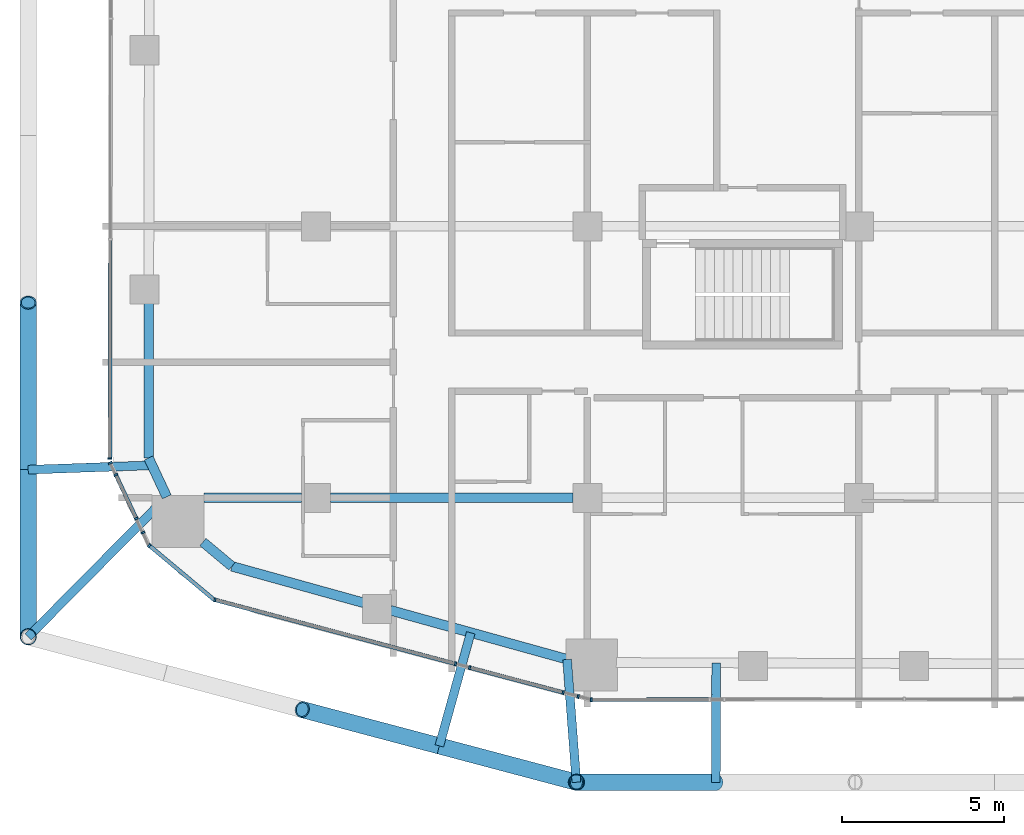
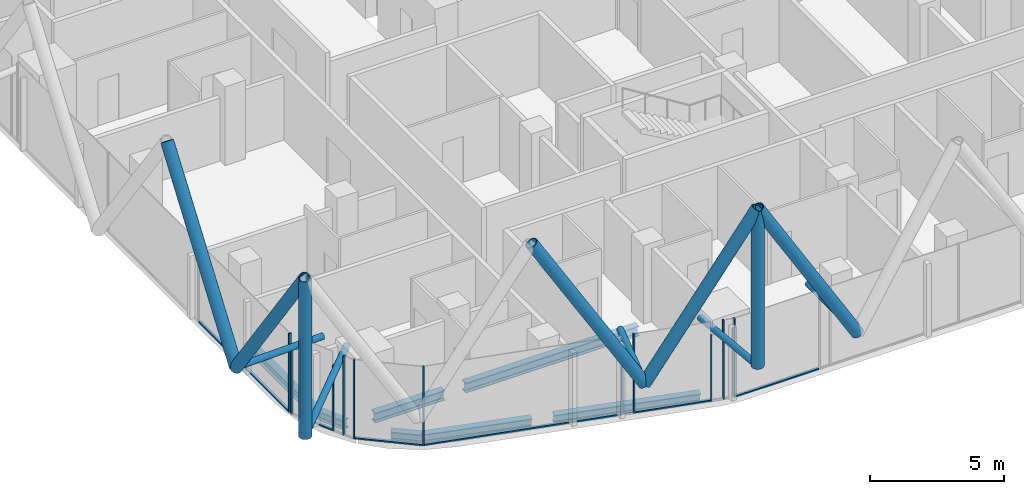
# One storey, part 2 of 36: 30 members, 7 beams, 12 elements without a shape of their own.
"""IFC4 building model written with IfcOpenShell, lengths in metres."""

from ifc_helpers import new_model, si_unit, direction, frame, origin, origin_2d, place, context, subcontext, project, spatial, rectangle, hollow_circle, i_section, extrude, material, layer, layer_set, material_profile, profile_set, type_object, element, aggregate, save


model = new_model("IFC4")

# Units and contexts
model_context = context("Model", 3, precision=1e-05, world=origin(), true_north=direction((0.0, 1.0)))
body_context = subcontext(model_context, "Body", "Model", "MODEL_VIEW")
ifc_project = project(units=[si_unit("LENGTHUNIT", "METRE"), si_unit("AREAUNIT", "SQUARE_METRE"), si_unit("VOLUMEUNIT", "CUBIC_METRE"), si_unit("PLANEANGLEUNIT", "RADIAN"), si_unit("MASSUNIT", "GRAM", prefix="KILO")], contexts=[model_context])

# Site, building, storey
site_placement = place(None, origin())
site = spatial("IfcSite", under=ifc_project, at=site_placement, CompositionType="ELEMENT")
building_placement = place(site_placement, origin())
building = spatial("IfcBuilding", under=site, at=building_placement, Name="Marenta Gate Hotel Tower", CompositionType="ELEMENT")
storey_placement = place(building_placement, frame((0.0, 0.0, 130.10009765625)))
storey = spatial("IfcBuildingStorey", under=building, at=storey_placement, Name="L29", CompositionType="ELEMENT", Elevation=130.10009765625)

# Members
ifc_material_1 = material(Name="Steel S355J2W", Category="steel")
ifc_material_profile_1 = material_profile(ifc_material_1, hollow_circle(Radius=0.25390625, WallThickness=0.02490234375, at=origin_2d()), Name="CHS 508x25")
ifc_profile_set_1 = profile_set([ifc_material_profile_1], Name="Steel S355J2W")
member_type_1 = type_object("IfcMemberType", Name="Diagrid corner post Z2 CHS 508x25", PredefinedType="POST", material=ifc_profile_set_1)
for number, where, z_axis, x_axis, name in (
    (1, (-12.93896484375, -25.60009765625, 3.139892578125), (0.0, 0.0, 1.0), (1.0, 0.0, 0.0), "L29-DR-4"),
    (2, (-29.89990234375, -21.10009765625, 3.139892578125), (0.0, 0.0, 1.0), (1.0, 0.0, 0.0), "L29-DR-5"),
):
    element("IfcMember", number, at=place(storey_placement, frame(where, z_axis=z_axis, x_axis=x_axis)), inside=storey, type_object=member_type_1, Name=name, PredefinedType="POST", context=body_context, shape_type="SweptSolid", body=[
        extrude(hollow_circle(Radius=0.25390625, WallThickness=0.02490234375, at=origin_2d()), origin(), (0.0, 0.0, 1.0), 7.199951171875),
    ])
ifc_material_2 = material(Name="Steel S355J2W", Category="steel")
ifc_material_profile_2 = material_profile(ifc_material_2, hollow_circle(Radius=0.25390625, WallThickness=0.0400390625, at=origin_2d()), Name="CHS 508x40")
ifc_profile_set_2 = profile_set([ifc_material_profile_2], Name="Steel S355J2W")
member_type_2 = type_object("IfcMemberType", Name="Diagrid diagonal Z2 CHS 508x40", PredefinedType="BRACE", material=ifc_profile_set_2)
member_1_placement = place(storey_placement, frame((-8.6259765625, -25.60009765625, 3.139892578125), z_axis=(-0.513883902774, 0.0, 0.857859740558), x_axis=(0.0, -1.0, 0.0)))
element("IfcMember", 3, at=member_1_placement, inside=storey, type_object=member_type_2, Name="L29-DG-20", PredefinedType="BRACE", context=body_context, shape_type="SweptSolid", body=[
    extrude(hollow_circle(Radius=0.25390625, WallThickness=0.0400390625, at=origin_2d()), origin(), (0.0, 0.0, 1.0), 8.392822265625),
])
for number, where, z_axis, x_axis, name in (
    (4, (-17.17919921875, -24.47509765625, 3.139892578125), (0.502924018666, -0.133433548941, 0.853968921838), (0.256443187528, 0.96655930577, 0.0), "L29-DG-21"),
    (5, (-17.17919921875, -24.47509765625, 3.139892578125), (-0.502924018666, 0.133433548941, 0.853968921838), (-0.256443187528, -0.96655930577, 0.0), "L29-DG-22"),
):
    element("IfcMember", number, at=place(storey_placement, frame(where, z_axis=z_axis, x_axis=x_axis)), inside=storey, type_object=member_type_2, Name=name, PredefinedType="BRACE", context=body_context, shape_type="SweptSolid", body=[
        extrude(hollow_circle(Radius=0.25390625, WallThickness=0.0400390625, at=origin_2d()), origin(), (0.0, 0.0, 1.0), 8.43115234375),
    ])
member_2_placement = place(storey_placement, frame((-29.89990234375, -15.93017578125, 3.139892578125), z_axis=(0.0, -0.583260841117, 0.812284919975), x_axis=(1.0, 0.0, 0.0)))
element("IfcMember", 6, at=member_2_placement, inside=storey, type_object=member_type_2, Name="L29-DG-25", PredefinedType="BRACE", context=body_context, shape_type="SweptSolid", body=[
    extrude(hollow_circle(Radius=0.25390625, WallThickness=0.0400390625, at=origin_2d()), origin(), (0.0, 0.0, 1.0), 8.86376953125),
])
member_3_placement = place(storey_placement, frame((-29.89990234375, -15.93017578125, 3.139892578125), z_axis=(0.0, 0.583279014058, 0.812271870595), x_axis=(-1.0, 0.0, 0.0)))
element("IfcMember", 7, at=member_3_placement, inside=storey, type_object=member_type_2, Name="L29-DG-26", PredefinedType="BRACE", context=body_context, shape_type="SweptSolid", body=[
    extrude(hollow_circle(Radius=0.25390625, WallThickness=0.0400390625, at=origin_2d()), origin(), (0.0, 0.0, 1.0), 8.864013671875),
])

# Beams
ifc_material_3 = material(Name="Steel S355", Category="steel")
ifc_material_profile_3 = material_profile(ifc_material_3, i_section(OverallWidth=0.300048828125, OverallDepth=0.39990234375, WebThickness=0.013427734375, FlangeThickness=0.02392578125, FilletRadius=0.027099609375, at=origin_2d()), Name="HEB 400")
ifc_profile_set_3 = profile_set([ifc_material_profile_3], Name="Steel S355")
beam_type_1 = type_object("IfcBeamType", Name="Edge beam HEB 400", PredefinedType="SPANDREL", material=ifc_profile_set_3)
beam_1_placement = place(storey_placement, frame((-13.227783203125, -21.794677734375, -0.460205078125), z_axis=(-0.963615860477, 0.267290990189, 0.0), x_axis=(-0.267290990189, -0.963615860477, 0.0)))
element("IfcBeam", 8, at=beam_1_placement, inside=storey, type_object=beam_type_1, Name="L29-EB-1", PredefinedType="SPANDREL", context=body_context, shape_type="SweptSolid", body=[
    extrude(i_section(OverallWidth=0.300048828125, OverallDepth=0.39990234375, WebThickness=0.013427734375, FlangeThickness=0.02392578125, FilletRadius=0.027099609375, at=origin_2d()), origin(), (0.0, 0.0, 1.0), 5.674072265625),
])
beam_2_placement = place(storey_placement, frame((-19.518310546875, -20.0498046875, -0.460205078125), z_axis=(-0.963630213062, 0.267239242016, 0.0), x_axis=(-0.267239242016, -0.963630213062, 0.0)))
element("IfcBeam", 9, at=beam_2_placement, inside=storey, type_object=beam_type_1, Name="L29-EB-2", PredefinedType="SPANDREL", context=body_context, shape_type="SweptSolid", body=[
    extrude(i_section(OverallWidth=0.300048828125, OverallDepth=0.39990234375, WebThickness=0.013427734375, FlangeThickness=0.02392578125, FilletRadius=0.027099609375, at=origin_2d()), origin(), (0.0, 0.0, 1.0), 4.232666015625),
])
beam_3_placement = place(storey_placement, frame((-23.596923828125, -18.918701171875, -0.460205078125), z_axis=(-0.767073132856, 0.641559668972, 0.0), x_axis=(-0.641559668972, -0.767073132856, 0.0)))
element("IfcBeam", 10, at=beam_3_placement, inside=storey, type_object=beam_type_1, Name="L29-EB-3", PredefinedType="SPANDREL", context=body_context, shape_type="SweptSolid", body=[
    extrude(i_section(OverallWidth=0.300048828125, OverallDepth=0.39990234375, WebThickness=0.013427734375, FlangeThickness=0.02392578125, FilletRadius=0.027099609375, at=origin_2d()), origin(), (0.0, 0.0, 1.0), 1.1689453125),
])
beam_4_placement = place(storey_placement, frame((-25.613525390625, -16.769287109375, -0.460205078125), z_axis=(-0.423207780269, 0.906032656541, 0.0), x_axis=(-0.906032656541, -0.423207780269, 0.0)))
element("IfcBeam", 11, at=beam_4_placement, inside=storey, type_object=beam_type_1, Name="L29-EB-4", PredefinedType="SPANDREL", context=body_context, shape_type="SweptSolid", body=[
    extrude(i_section(OverallWidth=0.300048828125, OverallDepth=0.39990234375, WebThickness=0.013427734375, FlangeThickness=0.02392578125, FilletRadius=0.027099609375, at=origin_2d()), origin(), (0.0, 0.0, 1.0), 1.326904296875),
])
beam_5_placement = place(storey_placement, frame((-26.175048828125, -15.567138671875, -0.460205078125), z_axis=(0.001371810517, 0.999999059068, 0.0), x_axis=(-0.999999059068, 0.001371810517, 0.0)))
element("IfcBeam", 12, at=beam_5_placement, inside=storey, type_object=beam_type_1, Name="L29-EB-5", PredefinedType="SPANDREL", context=body_context, shape_type="SweptSolid", body=[
    extrude(i_section(OverallWidth=0.300048828125, OverallDepth=0.39990234375, WebThickness=0.013427734375, FlangeThickness=0.02392578125, FilletRadius=0.027099609375, at=origin_2d()), origin(), (0.0, 0.0, 1.0), 4.80517578125),
])

# Members
ifc_material_4 = material(Name="Steel S355J2W", Category="steel")
ifc_material_profile_4 = material_profile(ifc_material_4, hollow_circle(Radius=0.136474609375, WallThickness=0.012451171875, at=origin_2d()), Name="CHS 273x12.5")
ifc_profile_set_4 = profile_set([ifc_material_profile_4], Name="Steel S355J2W")
member_type_3 = type_object("IfcMemberType", Name="Floor tie CHS 273x12.5", PredefinedType="STRUT", material=ifc_profile_set_4)
member_4_placement = place(storey_placement, frame((-8.6259765625, -25.60009765625, 3.139892578125), z_axis=(0.003177318972, 0.999994952309, 0.0), x_axis=(-0.999994952309, 0.003177318972, 0.0)))
element("IfcMember", 13, at=member_4_placement, inside=storey, type_object=member_type_3, Name="L29-DR-15", PredefinedType="STRUT", context=body_context, shape_type="SweptSolid", body=[
    extrude(hollow_circle(Radius=0.136474609375, WallThickness=0.012451171875, at=origin_2d()), origin(), (0.0, 0.0, 1.0), 3.688232421875),
])
member_5_placement = place(storey_placement, frame((-12.93896484375, -25.60009765625, 3.139892578125), z_axis=(-0.075691735753, 0.997131265751, 0.0), x_axis=(-0.997131265751, -0.075691735753, 0.0)))
element("IfcMember", 14, at=member_5_placement, inside=storey, type_object=member_type_3, Name="L29-DR-16", PredefinedType="STRUT", context=body_context, shape_type="SweptSolid", body=[
    extrude(hollow_circle(Radius=0.136474609375, WallThickness=0.012451171875, at=origin_2d()), origin(), (0.0, 0.0, 1.0), 3.809326171875),
])
member_6_placement = place(storey_placement, frame((-17.17919921875, -24.47509765625, 3.139892578125), z_axis=(0.26723825199, 0.963630487621, 0.0), x_axis=(-0.963630487621, 0.26723825199, 0.0)))
element("IfcMember", 15, at=member_6_placement, inside=storey, type_object=member_type_3, Name="L29-DR-17", PredefinedType="STRUT", context=body_context, shape_type="SweptSolid", body=[
    extrude(hollow_circle(Radius=0.136474609375, WallThickness=0.012451171875, at=origin_2d()), origin(), (0.0, 0.0, 1.0), 3.63232421875),
])
member_7_placement = place(storey_placement, frame((-29.89990234375, -21.10009765625, 3.139892578125), z_axis=(0.703467207322, 0.710727717359, 0.0), x_axis=(-0.710727717359, 0.703467207322, 0.0)))
element("IfcMember", 16, at=member_7_placement, inside=storey, type_object=member_type_3, Name="L29-DR-18", PredefinedType="STRUT", context=body_context, shape_type="SweptSolid", body=[
    extrude(hollow_circle(Radius=0.136474609375, WallThickness=0.012451171875, at=origin_2d()), origin(), (0.0, 0.0, 1.0), 6.086181640625),
])
member_8_placement = place(storey_placement, frame((-29.89990234375, -15.93017578125, 3.139892578125), z_axis=(0.999365777603, 0.035609585179, 0.0), x_axis=(-0.035609585179, 0.999365777603, 0.0)))
element("IfcMember", 17, at=member_8_placement, inside=storey, type_object=member_type_3, Name="L29-DR-19", PredefinedType="STRUT", context=body_context, shape_type="SweptSolid", body=[
    extrude(hollow_circle(Radius=0.136474609375, WallThickness=0.012451171875, at=origin_2d()), origin(), (0.0, 0.0, 1.0), 3.82568359375),
])

# Beams
ifc_material_5 = material(Name="Steel S355", Category="steel")
ifc_material_profile_5 = material_profile(ifc_material_5, i_section(OverallWidth=0.300048828125, OverallDepth=0.449951171875, WebThickness=0.013916015625, FlangeThickness=0.02587890625, FilletRadius=0.027099609375, at=origin_2d()), Name="HEB 450")
ifc_profile_set_5 = profile_set([ifc_material_profile_5], Name="Steel S355")
beam_type_2 = type_object("IfcBeamType", Name="Girder HEB 450", PredefinedType="BEAM", material=ifc_profile_set_5)
beam_6_placement = place(storey_placement, frame((-24.462890625, -16.800048828125, -0.485107421875), z_axis=(1.0, 0.0, 0.0), x_axis=(0.0, 1.0, 0.0)))
element("IfcBeam", 18, at=beam_6_placement, inside=storey, type_object=beam_type_2, Name="L29-GD-1", PredefinedType="BEAM", context=body_context, shape_type="SweptSolid", body=[
    extrude(i_section(OverallWidth=0.300048828125, OverallDepth=0.449951171875, WebThickness=0.013916015625, FlangeThickness=0.02587890625, FilletRadius=0.027099609375, at=origin_2d()), origin(), (0.0, 0.0, 1.0), 3.012939453125),
])
beam_7_placement = place(storey_placement, frame((-20.550048828125, -16.800048828125, -0.485107421875), z_axis=(1.0, 0.0, 0.0), x_axis=(0.0, 1.0, 0.0)))
element("IfcBeam", 19, at=beam_7_placement, inside=storey, type_object=beam_type_2, Name="L29-GD-2", PredefinedType="BEAM", context=body_context, shape_type="SweptSolid", body=[
    extrude(i_section(OverallWidth=0.300048828125, OverallDepth=0.449951171875, WebThickness=0.013916015625, FlangeThickness=0.02587890625, FilletRadius=0.027099609375, at=origin_2d()), origin(), (0.0, 0.0, 1.0), 7.5),
])

# Curtain wall, member
ifc_material_6 = material(Name="Tinted insulated glass in bronze anodised frame", Category="glass")
ifc_layer = layer(ifc_material_6, 0.1201171875)
ifc_layer_set = layer_set([ifc_layer], Name="Tinted insulated glass in bronze anodised frame")
curtain_wall_type = type_object("IfcCurtainWallType", Name="Tower unitised curtain wall CW1", PredefinedType="NOTDEFINED", material=ifc_layer_set)
curtain_wall_1_placement = place(storey_placement, origin())
curtain_wall_1 = element("IfcCurtainWall", 20, at=curtain_wall_1_placement, inside=storey, type_object=curtain_wall_type, Name="CW1 run G08", PredefinedType="NOTDEFINED")
ifc_material_7 = material(Name="Bronze anodised aluminium", Category="aluminium")
ifc_material_profile_6 = material_profile(ifc_material_7, rectangle(XDim=0.1201171875, YDim=0.06005859375, at=origin_2d()), Name="Mullion CW1 60x120 bronze anodised aluminium")
ifc_profile_set_6 = profile_set([ifc_material_profile_6], Name="Bronze anodised aluminium")
member_type_4 = type_object("IfcMemberType", Name="Mullion CW1 60x120 bronze anodised aluminium", PredefinedType="MULLION", material=ifc_profile_set_6)
member_9_placement = place(storey_placement, frame((-27.372802734375, -15.58349609375, 0.0), z_axis=(0.0, 0.0, 1.0), x_axis=(0.999998775571, -0.001564882094, 0.0)))
member_9 = element("IfcMember", 21, at=member_9_placement, type_object=member_type_4, Name="CW1 mullion 4", PredefinedType="MULLION", context=body_context, shape_type="SweptSolid", body=[
    extrude(rectangle(XDim=0.1201171875, YDim=0.06005859375, at=origin_2d()), origin(), (0.0, 0.0, 1.0), 3.599853515625),
])

curtain_wall_2_placement = place(storey_placement, origin())
curtain_wall_2 = element("IfcCurtainWall", 22, at=curtain_wall_2_placement, inside=storey, type_object=curtain_wall_type, Name="CW1 run G09", PredefinedType="NOTDEFINED")
member_10_placement = place(storey_placement, frame((-27.3603515625, -15.720947265625, 0.0), z_axis=(0.0, 0.0, 1.0), x_axis=(0.905968482447, 0.423345141478, 0.0)))
member_10 = element("IfcMember", 23, at=member_10_placement, type_object=member_type_4, Name="CW1 mullion 1", PredefinedType="MULLION", context=body_context, shape_type="SweptSolid", body=[
    extrude(rectangle(XDim=0.1201171875, YDim=0.06005859375, at=origin_2d()), origin(), (0.0, 0.0, 1.0), 3.00048828125),
])
aggregate(curtain_wall_2, [member_10])

curtain_wall_3_placement = place(storey_placement, origin())
curtain_wall_3 = element("IfcCurtainWall", 24, at=curtain_wall_3_placement, inside=storey, type_object=curtain_wall_type, Name="CW1 run G10", PredefinedType="NOTDEFINED")
member_11_placement = place(storey_placement, frame((-27.18896484375, -16.087890625, 0.0), z_axis=(0.0, 0.0, 1.0), x_axis=(0.905967431983, 0.423347389488, 0.0)))
member_11 = element("IfcMember", 25, at=member_11_placement, type_object=member_type_4, Name="CW1 mullion 1", PredefinedType="MULLION", context=body_context, shape_type="SweptSolid", body=[
    extrude(rectangle(XDim=0.1201171875, YDim=0.06005859375, at=origin_2d()), origin(), (0.0, 0.0, 1.0), 3.599853515625),
])

curtain_wall_4_placement = place(storey_placement, origin())
curtain_wall_4 = element("IfcCurtainWall", 26, at=curtain_wall_4_placement, inside=storey, type_object=curtain_wall_type, Name="CW1 run G11", PredefinedType="NOTDEFINED")
member_12_placement = place(storey_placement, frame((-26.556884765625, -17.4404296875, 0.0), z_axis=(0.0, 0.0, 1.0), x_axis=(0.905960772222, 0.423361641148, 0.0)))
member_12 = element("IfcMember", 27, at=member_12_placement, type_object=member_type_4, Name="CW1 mullion 1", PredefinedType="MULLION", context=body_context, shape_type="SweptSolid", body=[
    extrude(rectangle(XDim=0.1201171875, YDim=0.06005859375, at=origin_2d()), origin(), (0.0, 0.0, 1.0), 3.00048828125),
])
aggregate(curtain_wall_4, [member_12])

curtain_wall_5_placement = place(storey_placement, origin())
curtain_wall_5 = element("IfcCurtainWall", 28, at=curtain_wall_5_placement, inside=storey, type_object=curtain_wall_type, Name="CW1 run G12", PredefinedType="NOTDEFINED")
member_13_placement = place(storey_placement, frame((-26.352294921875, -17.8779296875, 0.0), z_axis=(0.0, 0.0, 1.0), x_axis=(0.906001027936, 0.42327548639, 0.0)))
member_13 = element("IfcMember", 29, at=member_13_placement, type_object=member_type_4, Name="CW1 mullion 1", PredefinedType="MULLION", context=body_context, shape_type="SweptSolid", body=[
    extrude(rectangle(XDim=0.1201171875, YDim=0.06005859375, at=origin_2d()), origin(), (0.0, 0.0, 1.0), 3.599853515625),
])
aggregate(curtain_wall_5, [member_13])

curtain_wall_6_placement = place(storey_placement, origin())
curtain_wall_6 = element("IfcCurtainWall", 30, at=curtain_wall_6_placement, inside=storey, type_object=curtain_wall_type, Name="CW1 run G13", PredefinedType="NOTDEFINED")
member_14_placement = place(storey_placement, frame((-26.152099609375, -18.27685546875, 0.0), z_axis=(0.0, 0.0, 1.0), x_axis=(0.641512168126, 0.767112858807, 0.0)))
member_14 = element("IfcMember", 31, at=member_14_placement, type_object=member_type_4, Name="CW1 mullion 1", PredefinedType="MULLION", context=body_context, shape_type="SweptSolid", body=[
    extrude(rectangle(XDim=0.1201171875, YDim=0.06005859375, at=origin_2d()), origin(), (0.0, 0.0, 1.0), 3.599853515625),
])

curtain_wall_7_placement = place(storey_placement, origin())
curtain_wall_7 = element("IfcCurtainWall", 32, at=curtain_wall_7_placement, inside=storey, type_object=curtain_wall_type, Name="CW1 run G14", PredefinedType="NOTDEFINED")
member_15_placement = place(storey_placement, frame((-24.12451171875, -19.955810546875, 0.0), z_axis=(0.0, 0.0, 1.0), x_axis=(0.257146376841, 0.96637246488, 0.0)))
member_15 = element("IfcMember", 33, at=member_15_placement, type_object=member_type_4, Name="CW1 mullion 1", PredefinedType="MULLION", context=body_context, shape_type="SweptSolid", body=[
    extrude(rectangle(XDim=0.1201171875, YDim=0.06005859375, at=origin_2d()), origin(), (0.0, 0.0, 1.0), 3.599853515625),
])

curtain_wall_8_placement = place(storey_placement, origin())
curtain_wall_8 = element("IfcCurtainWall", 34, at=curtain_wall_8_placement, inside=storey, type_object=curtain_wall_type, Name="CW1 run G15", PredefinedType="NOTDEFINED")
member_16_placement = place(storey_placement, frame((-16.67919921875, -21.93701171875, 0.0), z_axis=(0.0, 0.0, 1.0), x_axis=(0.257154287199, 0.966370359942, 0.0)))
member_16 = element("IfcMember", 35, at=member_16_placement, type_object=member_type_4, Name="CW1 mullion 1", PredefinedType="MULLION", context=body_context, shape_type="SweptSolid", body=[
    extrude(rectangle(XDim=0.1201171875, YDim=0.06005859375, at=origin_2d()), origin(), (0.0, 0.0, 1.0), 3.00048828125),
])
aggregate(curtain_wall_8, [member_16])

curtain_wall_9_placement = place(storey_placement, origin())
curtain_wall_9 = element("IfcCurtainWall", 36, at=curtain_wall_9_placement, inside=storey, type_object=curtain_wall_type, Name="CW1 run G16", PredefinedType="NOTDEFINED")
member_17_placement = place(storey_placement, frame((-16.241455078125, -22.053466796875, 0.0), z_axis=(0.0, 0.0, 1.0), x_axis=(0.257134543351, 0.966375613628, 0.0)))
member_17 = element("IfcMember", 37, at=member_17_placement, type_object=member_type_4, Name="CW1 mullion 1", PredefinedType="MULLION", context=body_context, shape_type="SweptSolid", body=[
    extrude(rectangle(XDim=0.1201171875, YDim=0.06005859375, at=origin_2d()), origin(), (0.0, 0.0, 1.0), 3.599853515625),
])

curtain_wall_10_placement = place(storey_placement, origin())
curtain_wall_10 = element("IfcCurtainWall", 38, at=curtain_wall_10_placement, inside=storey, type_object=curtain_wall_type, Name="CW1 run G17", PredefinedType="NOTDEFINED")
member_18_placement = place(storey_placement, frame((-13.348388671875, -22.8232421875, 0.0), z_axis=(0.0, 0.0, 1.0), x_axis=(0.257026845764, 0.966404263523, 0.0)))
member_18 = element("IfcMember", 39, at=member_18_placement, type_object=member_type_4, Name="CW1 mullion 1", PredefinedType="MULLION", context=body_context, shape_type="SweptSolid", body=[
    extrude(rectangle(XDim=0.1201171875, YDim=0.06005859375, at=origin_2d()), origin(), (0.0, 0.0, 1.0), 3.00048828125),
])
aggregate(curtain_wall_10, [member_18])

curtain_wall_11_placement = place(storey_placement, origin())
curtain_wall_11 = element("IfcCurtainWall", 40, at=curtain_wall_11_placement, inside=storey, type_object=curtain_wall_type, Name="CW1 run G18", PredefinedType="NOTDEFINED")
member_19_placement = place(storey_placement, frame((-12.884765625, -22.946533203125, 0.0), z_axis=(0.0, 0.0, 1.0), x_axis=(0.257279256414, 0.966337096576, 0.0)))
member_19 = element("IfcMember", 41, at=member_19_placement, type_object=member_type_4, Name="CW1 mullion 1", PredefinedType="MULLION", context=body_context, shape_type="SweptSolid", body=[
    extrude(rectangle(XDim=0.1201171875, YDim=0.06005859375, at=origin_2d()), origin(), (0.0, 0.0, 1.0), 3.599853515625),
])
aggregate(curtain_wall_11, [member_19])

curtain_wall_12_placement = place(storey_placement, origin())
curtain_wall_12 = element("IfcCurtainWall", 42, at=curtain_wall_12_placement, inside=storey, type_object=curtain_wall_type, Name="CW1 run G19", PredefinedType="NOTDEFINED")
member_20_placement = place(storey_placement, frame((-12.475830078125, -23.04736328125, 0.0), z_axis=(0.0, 0.0, 1.0), x_axis=(-0.001365521987, 0.999999067674, 0.0)))
member_20 = element("IfcMember", 43, at=member_20_placement, type_object=member_type_4, Name="CW1 mullion 1", PredefinedType="MULLION", context=body_context, shape_type="SweptSolid", body=[
    extrude(rectangle(XDim=0.1201171875, YDim=0.06005859375, at=origin_2d()), origin(), (0.0, 0.0, 1.0), 3.599853515625),
])

# Member
ifc_material_8 = material(Name="Bronze anodised aluminium", Category="aluminium")
ifc_material_profile_7 = material_profile(ifc_material_8, rectangle(XDim=0.1201171875, YDim=0.06005859375, at=origin_2d()), Name="Transom CW1 60x120 bronze anodised aluminium")
ifc_profile_set_7 = profile_set([ifc_material_profile_7], Name="Bronze anodised aluminium")
member_type_5 = type_object("IfcMemberType", Name="Transom CW1 60x120 bronze anodised aluminium", PredefinedType="USERDEFINED", material=ifc_profile_set_7)
member_21_placement = place(storey_placement, frame((-27.3623046875, -8.8271484375, 0.02978515625), z_axis=(-0.001560739996, -0.999998782045, 0.0), x_axis=(0.999998782045, -0.001560739996, 0.0)))
member_21 = element("IfcMember", 44, at=member_21_placement, type_object=member_type_5, Name="CW1 transom 3.1", ObjectType="TRANSOM", PredefinedType="USERDEFINED", context=body_context, shape_type="SweptSolid", body=[
    extrude(rectangle(XDim=0.1201171875, YDim=0.06005859375, at=origin_2d()), origin(), (0.0, 0.0, 1.0), 6.726318359375),
])

aggregate(curtain_wall_1, [member_9, member_21])

member_22_placement = place(storey_placement, frame((-27.17626953125, -16.114990234375, 0.02978515625), z_axis=(0.423342396771, -0.905969765001, 0.0), x_axis=(0.905969765001, 0.423342396771, 0.0)))
member_22 = element("IfcMember", 45, at=member_22_placement, type_object=member_type_5, Name="CW1 transom 1.1", ObjectType="TRANSOM", PredefinedType="USERDEFINED", context=body_context, shape_type="SweptSolid", body=[
    extrude(rectangle(XDim=0.1201171875, YDim=0.06005859375, at=origin_2d()), origin(), (0.0, 0.0, 1.0), 1.43310546875),
])

aggregate(curtain_wall_3, [member_11, member_22])

member_23_placement = place(storey_placement, frame((-26.12890625, -18.296142578125, 0.02978515625), z_axis=(0.767116735682, -0.641507532175, 0.0), x_axis=(0.641507532175, 0.767116735682, 0.0)))
member_23 = element("IfcMember", 46, at=member_23_placement, type_object=member_type_5, Name="CW1 transom 1.1", ObjectType="TRANSOM", PredefinedType="USERDEFINED", context=body_context, shape_type="SweptSolid", body=[
    extrude(rectangle(XDim=0.1201171875, YDim=0.06005859375, at=origin_2d()), origin(), (0.0, 0.0, 1.0), 2.575439453125),
])

aggregate(curtain_wall_6, [member_14, member_23])

member_24_placement = place(storey_placement, frame((-24.095458984375, -19.963623046875, 0.02978515625), z_axis=(0.966376327666, -0.257131859807, 0.0), x_axis=(0.257131859807, 0.966376327666, 0.0)))
member_24 = element("IfcMember", 47, at=member_24_placement, type_object=member_type_5, Name="CW1 transom 1.1", ObjectType="TRANSOM", PredefinedType="USERDEFINED", context=body_context, shape_type="SweptSolid", body=[
    extrude(rectangle(XDim=0.1201171875, YDim=0.06005859375, at=origin_2d()), origin(), (0.0, 0.0, 1.0), 7.644287109375),
])

aggregate(curtain_wall_7, [member_15, member_24])

member_25_placement = place(storey_placement, frame((-16.21240234375, -22.061279296875, 0.02978515625), z_axis=(0.966370170989, -0.257154997275, 0.0), x_axis=(0.257154997275, 0.966370170989, 0.0)))
member_25 = element("IfcMember", 48, at=member_25_placement, type_object=member_type_5, Name="CW1 transom 1.1", ObjectType="TRANSOM", PredefinedType="USERDEFINED", context=body_context, shape_type="SweptSolid", body=[
    extrude(rectangle(XDim=0.1201171875, YDim=0.06005859375, at=origin_2d()), origin(), (0.0, 0.0, 1.0), 2.93359375),
])

aggregate(curtain_wall_9, [member_17, member_25])

member_26_placement = place(storey_placement, frame((-12.44580078125, -23.04736328125, 0.02978515625), z_axis=(0.999999080974, 0.001355747127, 0.0), x_axis=(-0.001355747127, 0.999999080974, 0.0)))
member_26 = element("IfcMember", 49, at=member_26_placement, type_object=member_type_5, Name="CW1 transom 1.1", ObjectType="TRANSOM", PredefinedType="USERDEFINED", context=body_context, shape_type="SweptSolid", body=[
    extrude(rectangle(XDim=0.1201171875, YDim=0.06005859375, at=origin_2d()), origin(), (0.0, 0.0, 1.0), 3.6015625),
])

aggregate(curtain_wall_12, [member_20, member_26])

save(model, "model.ifc")
